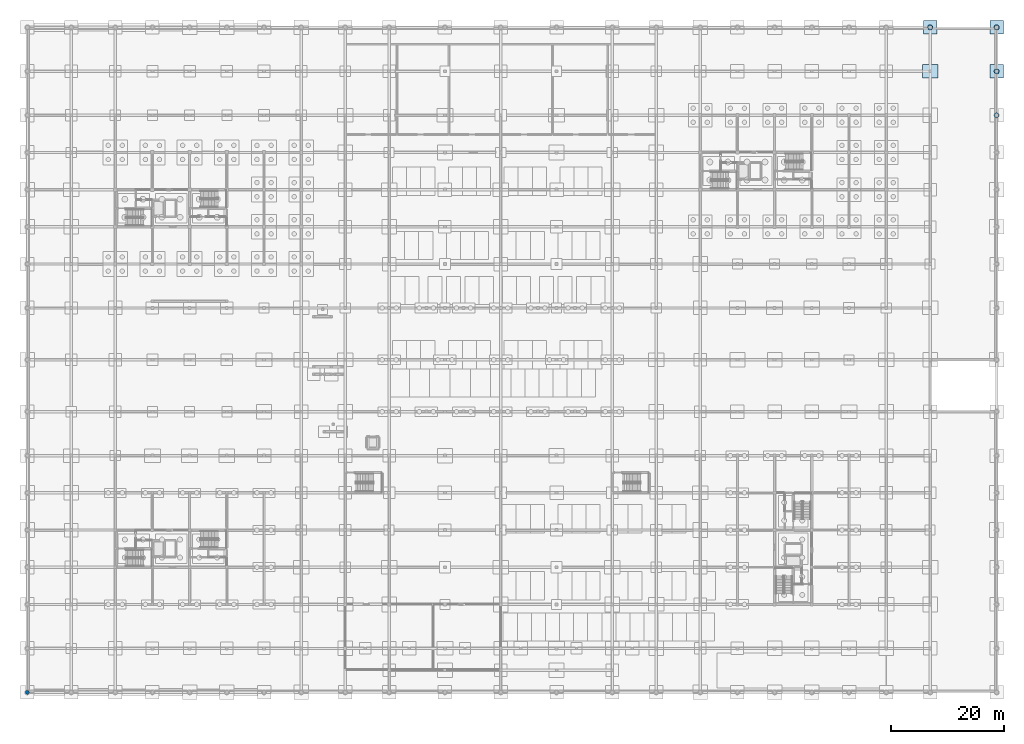
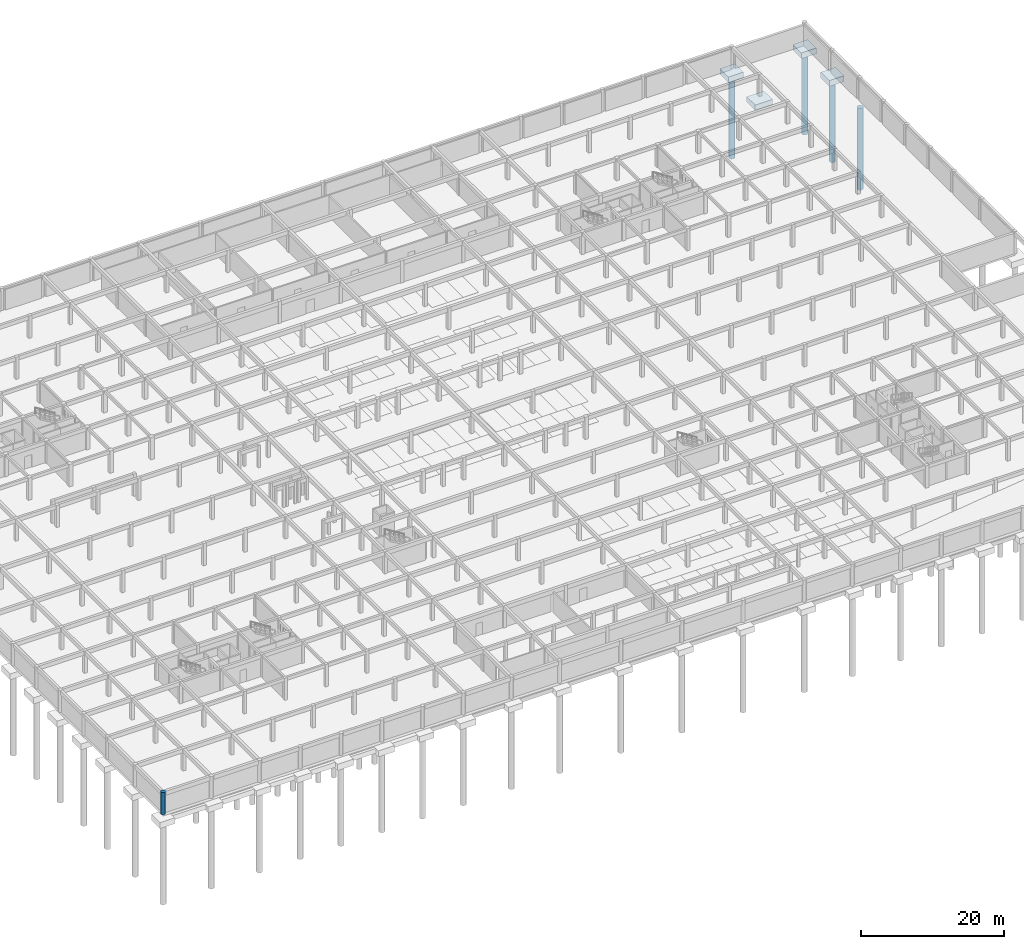
# One storey, part 10 of 37: 4 footings, 4 piles, 1 column.
"""IFC4 building model written with IfcOpenShell, lengths in metres."""

from ifc_helpers import new_model, si_unit, direction, frame, origin, origin_with_axes, origin_2d, place, context, subcontext, project, spatial, rectangle, circle, extrude, material, material_profile, profile_set, type_object, element, save


model = new_model("IFC4")

# Units and contexts
model_context = context("Model", 3, precision=1e-05, world=origin(), true_north=direction((0.0, 1.0)))
body_context = subcontext(model_context, "Body", "Model", "MODEL_VIEW")
ifc_project = project(units=[si_unit("LENGTHUNIT", "METRE"), si_unit("AREAUNIT", "SQUARE_METRE"), si_unit("VOLUMEUNIT", "CUBIC_METRE"), si_unit("PLANEANGLEUNIT", "RADIAN"), si_unit("MASSUNIT", "GRAM", prefix="KILO")], contexts=[model_context])

# Site, building, storey
site_placement = place(None, origin())
site = spatial("IfcSite", under=ifc_project, at=site_placement, CompositionType="ELEMENT")
building_placement = place(site_placement, origin())
building = spatial("IfcBuilding", under=site, at=building_placement, Name="Kernevlak Ridge Housing Community", CompositionType="ELEMENT")
storey_placement = place(building_placement, frame((0.0, 0.0, -3.800048828125)))
storey = spatial("IfcBuildingStorey", under=building, at=storey_placement, Name="B1", CompositionType="ELEMENT", Elevation=-3.800048828125)

# Piles
ifc_material_1 = material(Name="Concrete C35/45", Category="concrete")
ifc_material_profile_1 = material_profile(ifc_material_1, circle(Radius=0.449951171875, at=origin_2d()), Name="BORED PILE 900")
ifc_profile_set_1 = profile_set([ifc_material_profile_1], Name="Concrete C35/45")
pile_type = type_object("IfcPileType", Name="BP-02", PredefinedType="BORED", material=ifc_profile_set_1)
for number, where, z_axis, x_axis, name in (
    (1, (160.199951171875, 118.0, -1.349853515625), (0.0, 0.0, -1.0), (1.0, 0.0, 0.0), "Bored pile BP-02 PILE-0321"),
    (2, (172.0, 102.39990234375, -1.349853515625), (0.0, 0.0, -1.0), (1.0, 0.0, 0.0), "Bored pile BP-02 PILE-0336"),
    (3, (172.0, 110.199951171875, -1.349853515625), (0.0, 0.0, -1.0), (1.0, 0.0, 0.0), "Bored pile BP-02 PILE-0337"),
    (4, (172.0, 118.0, -1.349853515625), (0.0, 0.0, -1.0), (1.0, 0.0, 0.0), "Bored pile BP-02 PILE-0338"),
):
    element("IfcPile", number, at=place(storey_placement, frame(where, z_axis=z_axis, x_axis=x_axis)), inside=storey, type_object=pile_type, Name=name, PredefinedType="BORED", context=body_context, shape_type="SweptSolid", body=[
        extrude(circle(Radius=0.449951171875, at=origin_2d()), origin(), (0.0, 0.0, 1.0), 14.0),
    ])

# Footings
footing_type_1 = type_object("IfcFootingType", Name="FC-01", PredefinedType="PILE_CAP", material=ifc_material_1)
for number, where, z_axis, x_axis, name in (
    (5, (160.199951171875, 118.0, -1.449951171875), (0.0, 0.0, 1.0), (1.0, 0.0, 0.0), "Footing FC-01 FTG-CAP-376"),
    (6, (172.0, 110.199951171875, -1.449951171875), (0.0, 0.0, 1.0), (1.0, 0.0, 0.0), "Footing FC-01 FTG-CAP-392"),
    (7, (172.0, 118.0, -1.449951171875), (0.0, 0.0, 1.0), (1.0, 0.0, 0.0), "Footing FC-01 FTG-CAP-393"),
):
    element("IfcFooting", number, at=place(storey_placement, frame(where, z_axis=z_axis, x_axis=x_axis)), inside=storey, type_object=footing_type_1, Name=name, PredefinedType="PILE_CAP", context=body_context, shape_type="SweptSolid", body=[
        extrude(rectangle(XDim=2.39990234375, YDim=2.39990234375, at=origin_2d()), origin(), (0.0, 0.0, 1.0), 1.0),
    ])
footing_type_2 = type_object("IfcFootingType", Name="PF-06", PredefinedType="PAD_FOOTING", material=ifc_material_1)
footing_placement = place(storey_placement, frame((160.199951171875, 110.199951171875, -1.349853515625), z_axis=(0.0, 0.0, 1.0), x_axis=(1.0, 0.0, 0.0)))
element("IfcFooting", 8, at=footing_placement, inside=storey, type_object=footing_type_2, Name="Footing PF-06 FTG-CAP-375", PredefinedType="PAD_FOOTING", context=body_context, shape_type="SweptSolid", body=[
    extrude(rectangle(XDim=2.800048828125, YDim=2.39990234375, at=origin_2d()), origin(), (0.0, 0.0, 1.0), 0.89990234375),
])

# Column
ifc_material_2 = material(Name="Concrete C40/50", Category="concrete")
ifc_material_profile_2 = material_profile(ifc_material_2, circle(Radius=0.35009765625, at=origin_2d()), Name="RC D700")
ifc_profile_set_2 = profile_set([ifc_material_profile_2], Name="Concrete C40/50")
column_type = type_object("IfcColumnType", Name="C-12", PredefinedType="COLUMN", material=ifc_profile_set_2)
column_placement = place(storey_placement, origin_with_axes())
element("IfcColumn", 9, at=column_placement, inside=storey, type_object=column_type, Name="Column C-12 COL-POD-B1-000", PredefinedType="COLUMN", context=body_context, shape_type="SweptSolid", body=[
    extrude(circle(Radius=0.35009765625, at=origin_2d()), origin(), (0.0, 0.0, 1.0), 3.800048828125),
])

save(model, "model.ifc")
